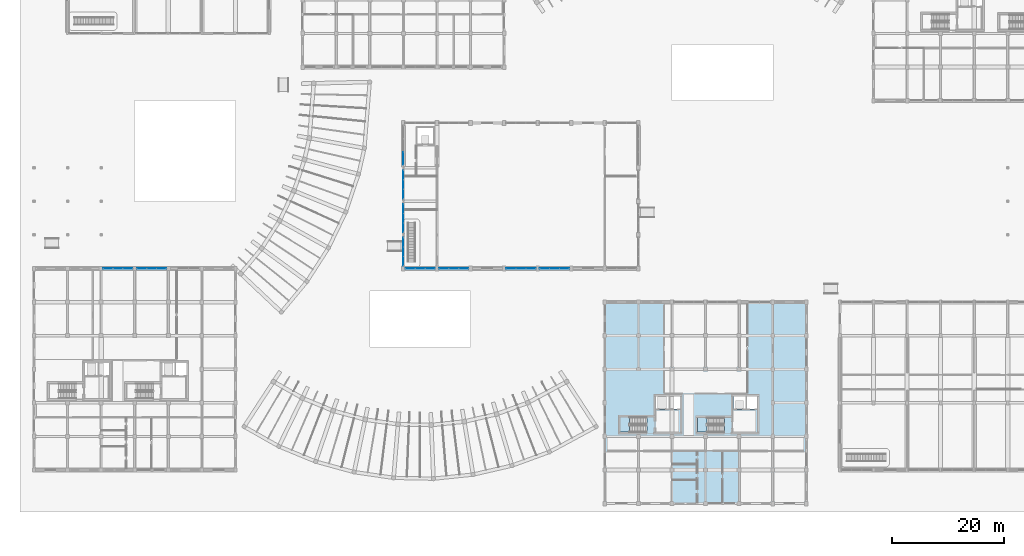
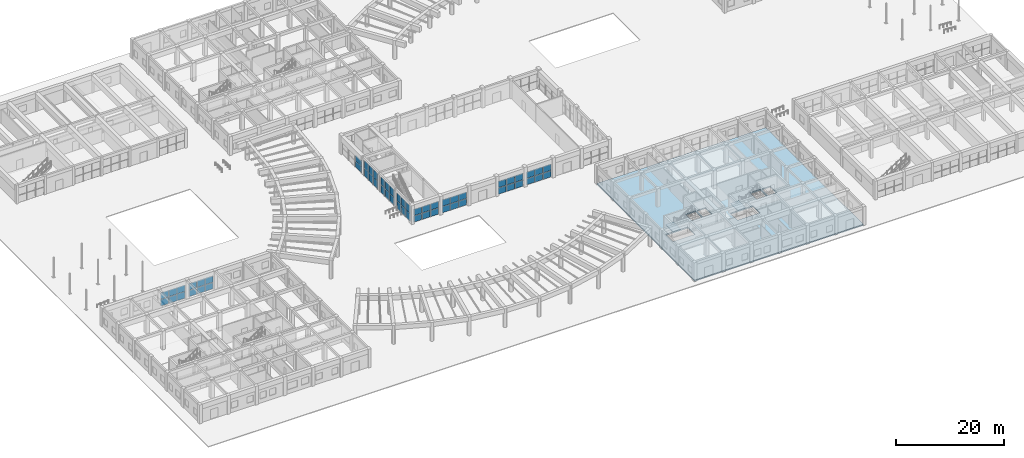
# One storey, part 39 of 76: 56 plates, 3 slabs, 12 elements without a shape of their own.
"""IFC4 building model written with IfcOpenShell, lengths in metres."""

from ifc_helpers import new_model, si_unit, direction, frame, origin, origin_2d, place, context, subcontext, project, spatial, polyline, rectangle, outline, extrude, material, layer, layer_set, type_object, element, aggregate, save


model = new_model("IFC4")

# Units and contexts
model_context = context("Model", 3, precision=1e-05, world=origin(), true_north=direction((0.0, 1.0)))
body_context = subcontext(model_context, "Body", "Model", "MODEL_VIEW")
ifc_project = project(units=[si_unit("LENGTHUNIT", "METRE"), si_unit("AREAUNIT", "SQUARE_METRE"), si_unit("VOLUMEUNIT", "CUBIC_METRE"), si_unit("PLANEANGLEUNIT", "RADIAN"), si_unit("MASSUNIT", "GRAM", prefix="KILO"), si_unit("POWERUNIT", "WATT"), si_unit("THERMODYNAMICTEMPERATUREUNIT", "KELVIN")], contexts=[model_context])

# Site, building, storey
site_placement = place(None, origin())
site = spatial("IfcSite", under=ifc_project, at=site_placement, CompositionType="ELEMENT")
building_placement = place(site_placement, origin())
building = spatial("IfcBuilding", under=site, at=building_placement, Name="Ruvembo Vaulted Housing Court", CompositionType="ELEMENT")
storey_placement = place(building_placement, origin())
storey = spatial("IfcBuildingStorey", under=building, at=storey_placement, Name="L00", CompositionType="ELEMENT", Elevation=0.0)

# Curtain wall, plates
ifc_material_1 = material(Name="Anodised Aluminium and Solar-Control Glass", Category="aluminium")
ifc_layer_1 = layer(ifc_material_1, 0.159912109375, Name="Anodised Aluminium and Solar-Control Glass")
ifc_layer_set_1 = layer_set([ifc_layer_1], Name="Anodised Aluminium and Solar-Control Glass")
curtain_wall_type_1 = type_object("IfcCurtainWallType", Name="CW-HALL-SIDE", PredefinedType="NOTDEFINED", material=ifc_layer_set_1)
curtain_wall_1_placement = place(storey_placement, origin())
curtain_wall_1 = element("IfcCurtainWall", 1, at=curtain_wall_1_placement, inside=storey, type_object=curtain_wall_type_1, Name="L00 Curtain Wall CW-L00-0093", PredefinedType="NOTDEFINED")
ifc_material_2 = material(Name="Solar-Control Laminated Insulating Glass", Category="glass")
ifc_layer_2 = layer(ifc_material_2, 0.035888671875, Name="Solar-Control Laminated Insulating Glass")
ifc_layer_set_2 = layer_set([ifc_layer_2], Name="Solar-Control Laminated Insulating Glass")
plate_type_1 = type_object("IfcPlateType", Name="CW-PANEL-ACOUST", PredefinedType="CURTAIN_PANEL", material=ifc_layer_set_2)
plate_1_placement = place(storey_placement, frame((73.231689453125, 42.0, 0.06005859375), z_axis=(0.0, 0.0, 1.0), x_axis=(1.0, 0.0, 0.0)))
plate_1 = element("IfcPlate", 2, at=plate_1_placement, type_object=plate_type_1, Name="CW1 panel 1.1", PredefinedType="CURTAIN_PANEL", context=body_context, shape_type="SweptSolid", body=[
    extrude(rectangle(XDim=1.693359375, YDim=0.035888671875, at=origin_2d()), origin(), (0.0, 0.0, 1.0), 1.44091796875),
])
plate_2_placement = place(storey_placement, frame((73.231689453125, 42.0, 1.56103515625), z_axis=(0.0, 0.0, 1.0), x_axis=(1.0, 0.0, 0.0)))
plate_2 = element("IfcPlate", 3, at=plate_2_placement, type_object=plate_type_1, Name="CW1 panel 1.2", PredefinedType="CURTAIN_PANEL", context=body_context, shape_type="SweptSolid", body=[
    extrude(rectangle(XDim=1.693359375, YDim=0.035888671875, at=origin_2d()), origin(), (0.0, 0.0, 1.0), 1.44091796875),
])
plate_3_placement = place(storey_placement, frame((75.0, 42.0, 0.06005859375), z_axis=(0.0, 0.0, 1.0), x_axis=(1.0, 0.0, 0.0)))
plate_3 = element("IfcPlate", 4, at=plate_3_placement, type_object=plate_type_1, Name="CW1 panel 2.1", PredefinedType="CURTAIN_PANEL", context=body_context, shape_type="SweptSolid", body=[
    extrude(rectangle(XDim=1.723388671875, YDim=0.035888671875, at=origin_2d()), origin(), (0.0, 0.0, 1.0), 1.44091796875),
])
plate_4_placement = place(storey_placement, frame((75.0, 42.0, 1.56103515625), z_axis=(0.0, 0.0, 1.0), x_axis=(1.0, 0.0, 0.0)))
plate_4 = element("IfcPlate", 5, at=plate_4_placement, type_object=plate_type_1, Name="CW1 panel 2.2", PredefinedType="CURTAIN_PANEL", context=body_context, shape_type="SweptSolid", body=[
    extrude(rectangle(XDim=1.723388671875, YDim=0.035888671875, at=origin_2d()), origin(), (0.0, 0.0, 1.0), 1.44091796875),
])
plate_5_placement = place(storey_placement, frame((76.768310546875, 42.0, 0.06005859375), z_axis=(0.0, 0.0, 1.0), x_axis=(1.0, 0.0, 0.0)))
plate_5 = element("IfcPlate", 6, at=plate_5_placement, type_object=plate_type_1, Name="CW1 panel 3.1", PredefinedType="CURTAIN_PANEL", context=body_context, shape_type="SweptSolid", body=[
    extrude(rectangle(XDim=1.693359375, YDim=0.035888671875, at=origin_2d()), origin(), (0.0, 0.0, 1.0), 1.44091796875),
])
plate_6_placement = place(storey_placement, frame((76.768310546875, 42.0, 1.56103515625), z_axis=(0.0, 0.0, 1.0), x_axis=(1.0, 0.0, 0.0)))
plate_6 = element("IfcPlate", 7, at=plate_6_placement, type_object=plate_type_1, Name="CW1 panel 3.2", PredefinedType="CURTAIN_PANEL", context=body_context, shape_type="SweptSolid", body=[
    extrude(rectangle(XDim=1.693359375, YDim=0.035888671875, at=origin_2d()), origin(), (0.0, 0.0, 1.0), 1.44091796875),
])
aggregate(curtain_wall_1, [plate_1, plate_2, plate_3, plate_4, plate_5, plate_6])

curtain_wall_2_placement = place(storey_placement, origin())
curtain_wall_2 = element("IfcCurtainWall", 8, at=curtain_wall_2_placement, inside=storey, type_object=curtain_wall_type_1, Name="L00 Curtain Wall CW-L00-0099", PredefinedType="NOTDEFINED")
plate_7_placement = place(storey_placement, frame((85.23046875, 42.0, 0.06005859375), z_axis=(0.0, 0.0, 1.0), x_axis=(1.0, 0.0, 0.0)))
plate_7 = element("IfcPlate", 9, at=plate_7_placement, type_object=plate_type_1, Name="CW1 panel 1.1", PredefinedType="CURTAIN_PANEL", context=body_context, shape_type="SweptSolid", body=[
    extrude(rectangle(XDim=1.700927734375, YDim=0.035888671875, at=origin_2d()), origin(), (0.0, 0.0, 1.0), 1.44091796875),
])
plate_8_placement = place(storey_placement, frame((85.23046875, 42.0, 1.56103515625), z_axis=(0.0, 0.0, 1.0), x_axis=(1.0, 0.0, 0.0)))
plate_8 = element("IfcPlate", 10, at=plate_8_placement, type_object=plate_type_1, Name="CW1 panel 1.2", PredefinedType="CURTAIN_PANEL", context=body_context, shape_type="SweptSolid", body=[
    extrude(rectangle(XDim=1.700927734375, YDim=0.035888671875, at=origin_2d()), origin(), (0.0, 0.0, 1.0), 1.44091796875),
])
plate_9_placement = place(storey_placement, frame((87.0, 42.0, 0.06005859375), z_axis=(0.0, 0.0, 1.0), x_axis=(1.0, 0.0, 0.0)))
plate_9 = element("IfcPlate", 11, at=plate_9_placement, type_object=plate_type_1, Name="CW1 panel 2.1", PredefinedType="CURTAIN_PANEL", context=body_context, shape_type="SweptSolid", body=[
    extrude(rectangle(XDim=1.728271484375, YDim=0.035888671875, at=origin_2d()), origin(), (0.0, 0.0, 1.0), 1.44091796875),
])
plate_10_placement = place(storey_placement, frame((87.0, 42.0, 1.56103515625), z_axis=(0.0, 0.0, 1.0), x_axis=(1.0, 0.0, 0.0)))
plate_10 = element("IfcPlate", 12, at=plate_10_placement, type_object=plate_type_1, Name="CW1 panel 2.2", PredefinedType="CURTAIN_PANEL", context=body_context, shape_type="SweptSolid", body=[
    extrude(rectangle(XDim=1.728271484375, YDim=0.035888671875, at=origin_2d()), origin(), (0.0, 0.0, 1.0), 1.44091796875),
])
plate_11_placement = place(storey_placement, frame((88.76953125, 42.0, 0.06005859375), z_axis=(0.0, 0.0, 1.0), x_axis=(1.0, 0.0, 0.0)))
plate_11 = element("IfcPlate", 13, at=plate_11_placement, type_object=plate_type_1, Name="CW1 panel 3.1", PredefinedType="CURTAIN_PANEL", context=body_context, shape_type="SweptSolid", body=[
    extrude(rectangle(XDim=1.700927734375, YDim=0.035888671875, at=origin_2d()), origin(), (0.0, 0.0, 1.0), 1.44091796875),
])
plate_12_placement = place(storey_placement, frame((88.76953125, 42.0, 1.56103515625), z_axis=(0.0, 0.0, 1.0), x_axis=(1.0, 0.0, 0.0)))
plate_12 = element("IfcPlate", 14, at=plate_12_placement, type_object=plate_type_1, Name="CW1 panel 3.2", PredefinedType="CURTAIN_PANEL", context=body_context, shape_type="SweptSolid", body=[
    extrude(rectangle(XDim=1.700927734375, YDim=0.035888671875, at=origin_2d()), origin(), (0.0, 0.0, 1.0), 1.44091796875),
])
aggregate(curtain_wall_2, [plate_7, plate_8, plate_9, plate_10, plate_11, plate_12])

ifc_layer_3 = layer(ifc_material_1, 0.179931640625, Name="Anodised Aluminium and Solar-Control Glass")
ifc_layer_set_3 = layer_set([ifc_layer_3], Name="Anodised Aluminium and Solar-Control Glass")
curtain_wall_type_2 = type_object("IfcCurtainWallType", Name="CW-HALL-TYMP", PredefinedType="NOTDEFINED", material=ifc_layer_set_3)
curtain_wall_3_placement = place(storey_placement, origin())
curtain_wall_3 = element("IfcCurtainWall", 15, at=curtain_wall_3_placement, inside=storey, type_object=curtain_wall_type_2, Name="L00 Curtain Wall CW-L00-0117", PredefinedType="NOTDEFINED")
plate_13_placement = place(storey_placement, frame((66.0, 55.31494140625, 0.06005859375), z_axis=(0.0, 0.0, 1.0), x_axis=(0.0, 1.0, 0.0)))
plate_13 = element("IfcPlate", 16, at=plate_13_placement, type_object=plate_type_1, Name="CW2 panel 1.1", PredefinedType="CURTAIN_PANEL", context=body_context, shape_type="SweptSolid", body=[
    extrude(rectangle(XDim=1.610107421875, YDim=0.035888671875, at=origin_2d()), origin(), (0.0, 0.0, 1.0), 1.69091796875),
])
plate_14_placement = place(storey_placement, frame((66.0, 55.31494140625, 1.81103515625), z_axis=(0.0, 0.0, 1.0), x_axis=(0.0, 1.0, 0.0)))
plate_14 = element("IfcPlate", 17, at=plate_14_placement, type_object=plate_type_1, Name="CW2 panel 1.2", PredefinedType="CURTAIN_PANEL", context=body_context, shape_type="SweptSolid", body=[
    extrude(rectangle(XDim=1.610107421875, YDim=0.035888671875, at=origin_2d()), origin(), (0.0, 0.0, 1.0), 1.69091796875),
])
plate_15_placement = place(storey_placement, frame((66.0, 57.0, 0.06005859375), z_axis=(0.0, 0.0, 1.0), x_axis=(0.0, 1.0, 0.0)))
plate_15 = element("IfcPlate", 18, at=plate_15_placement, type_object=plate_type_1, Name="CW2 panel 2.1", PredefinedType="CURTAIN_PANEL", context=body_context, shape_type="SweptSolid", body=[
    extrude(rectangle(XDim=1.639892578125, YDim=0.035888671875, at=origin_2d()), origin(), (0.0, 0.0, 1.0), 1.69091796875),
])
plate_16_placement = place(storey_placement, frame((66.0, 57.0, 1.81103515625), z_axis=(0.0, 0.0, 1.0), x_axis=(0.0, 1.0, 0.0)))
plate_16 = element("IfcPlate", 19, at=plate_16_placement, type_object=plate_type_1, Name="CW2 panel 2.2", PredefinedType="CURTAIN_PANEL", context=body_context, shape_type="SweptSolid", body=[
    extrude(rectangle(XDim=1.639892578125, YDim=0.035888671875, at=origin_2d()), origin(), (0.0, 0.0, 1.0), 1.69091796875),
])
plate_17_placement = place(storey_placement, frame((66.0, 58.68505859375, 0.06005859375), z_axis=(0.0, 0.0, 1.0), x_axis=(0.0, 1.0, 0.0)))
plate_17 = element("IfcPlate", 20, at=plate_17_placement, type_object=plate_type_1, Name="CW2 panel 3.1", PredefinedType="CURTAIN_PANEL", context=body_context, shape_type="SweptSolid", body=[
    extrude(rectangle(XDim=1.610107421875, YDim=0.035888671875, at=origin_2d()), origin(), (0.0, 0.0, 1.0), 1.69091796875),
])
plate_18_placement = place(storey_placement, frame((66.0, 58.68505859375, 1.81103515625), z_axis=(0.0, 0.0, 1.0), x_axis=(0.0, 1.0, 0.0)))
plate_18 = element("IfcPlate", 21, at=plate_18_placement, type_object=plate_type_1, Name="CW2 panel 3.2", PredefinedType="CURTAIN_PANEL", context=body_context, shape_type="SweptSolid", body=[
    extrude(rectangle(XDim=1.610107421875, YDim=0.035888671875, at=origin_2d()), origin(), (0.0, 0.0, 1.0), 1.69091796875),
])
aggregate(curtain_wall_3, [plate_13, plate_14, plate_15, plate_16, plate_17, plate_18])

ifc_layer_4 = layer(ifc_material_1, 0.159912109375, Name="Anodised Aluminium and Solar-Control Glass")
ifc_layer_set_4 = layer_set([ifc_layer_4], Name="Anodised Aluminium and Solar-Control Glass")
curtain_wall_type_3 = type_object("IfcCurtainWallType", Name="CW-LOBBY", PredefinedType="NOTDEFINED", material=ifc_layer_set_4)
curtain_wall_4_placement = place(storey_placement, origin())
curtain_wall_4 = element("IfcCurtainWall", 22, at=curtain_wall_4_placement, inside=storey, type_object=curtain_wall_type_3, Name="L00 Curtain Wall CW-L00-0002", PredefinedType="NOTDEFINED")
ifc_layer_5 = layer(ifc_material_2, 0.028076171875, Name="Solar-Control Laminated Insulating Glass")
ifc_layer_set_5 = layer_set([ifc_layer_5], Name="Solar-Control Laminated Insulating Glass")
plate_type_2 = type_object("IfcPlateType", Name="CW-PANEL-GLAZED", PredefinedType="CURTAIN_PANEL", material=ifc_layer_set_5)
plate_19_placement = place(storey_placement, frame((16.75048828125, 42.0, 0.06005859375), z_axis=(0.0, 0.0, 1.0), x_axis=(-1.0, 0.0, 0.0)))
plate_19 = element("IfcPlate", 23, at=plate_19_placement, type_object=plate_type_2, Name="CW5 panel 1.1", PredefinedType="CURTAIN_PANEL", context=body_context, shape_type="SweptSolid", body=[
    extrude(rectangle(XDim=1.669189453125, YDim=0.028076171875, at=origin_2d()), origin(), (0.0, 0.0, 1.0), 1.466064453125),
])
plate_20_placement = place(storey_placement, frame((16.75048828125, 42.0, 1.5859375), z_axis=(0.0, 0.0, 1.0), x_axis=(-1.0, 0.0, 0.0)))
plate_20 = element("IfcPlate", 24, at=plate_20_placement, type_object=plate_type_2, Name="CW5 panel 1.2", PredefinedType="CURTAIN_PANEL", context=body_context, shape_type="SweptSolid", body=[
    extrude(rectangle(XDim=1.669189453125, YDim=0.028076171875, at=origin_2d()), origin(), (0.0, 0.0, 1.0), 1.466064453125),
])
plate_21_placement = place(storey_placement, frame((15.0, 42.0, 0.06005859375), z_axis=(0.0, 0.0, 1.0), x_axis=(-1.0, 0.0, 0.0)))
plate_21 = element("IfcPlate", 25, at=plate_21_placement, type_object=plate_type_2, Name="CW5 panel 2.1", PredefinedType="CURTAIN_PANEL", context=body_context, shape_type="SweptSolid", body=[
    extrude(rectangle(XDim=1.70166015625, YDim=0.028076171875, at=origin_2d()), origin(), (0.0, 0.0, 1.0), 1.466064453125),
])
plate_22_placement = place(storey_placement, frame((15.0, 42.0, 1.5859375), z_axis=(0.0, 0.0, 1.0), x_axis=(-1.0, 0.0, 0.0)))
plate_22 = element("IfcPlate", 26, at=plate_22_placement, type_object=plate_type_2, Name="CW5 panel 2.2", PredefinedType="CURTAIN_PANEL", context=body_context, shape_type="SweptSolid", body=[
    extrude(rectangle(XDim=1.70166015625, YDim=0.028076171875, at=origin_2d()), origin(), (0.0, 0.0, 1.0), 1.466064453125),
])
plate_23_placement = place(storey_placement, frame((13.24951171875, 42.0, 0.06005859375), z_axis=(0.0, 0.0, 1.0), x_axis=(-1.0, 0.0, 0.0)))
plate_23 = element("IfcPlate", 27, at=plate_23_placement, type_object=plate_type_2, Name="CW5 panel 3.1", PredefinedType="CURTAIN_PANEL", context=body_context, shape_type="SweptSolid", body=[
    extrude(rectangle(XDim=1.669189453125, YDim=0.028076171875, at=origin_2d()), origin(), (0.0, 0.0, 1.0), 1.466064453125),
])
plate_24_placement = place(storey_placement, frame((13.24951171875, 42.0, 1.5859375), z_axis=(0.0, 0.0, 1.0), x_axis=(-1.0, 0.0, 0.0)))
plate_24 = element("IfcPlate", 28, at=plate_24_placement, type_object=plate_type_2, Name="CW5 panel 3.2", PredefinedType="CURTAIN_PANEL", context=body_context, shape_type="SweptSolid", body=[
    extrude(rectangle(XDim=1.669189453125, YDim=0.028076171875, at=origin_2d()), origin(), (0.0, 0.0, 1.0), 1.466064453125),
])
aggregate(curtain_wall_4, [plate_19, plate_20, plate_21, plate_22, plate_23, plate_24])

curtain_wall_5_placement = place(storey_placement, origin())
curtain_wall_5 = element("IfcCurtainWall", 29, at=curtain_wall_5_placement, inside=storey, type_object=curtain_wall_type_1, Name="L00 Curtain Wall CW-L00-0089", PredefinedType="NOTDEFINED")
plate_25_placement = place(storey_placement, frame((67.231689453125, 42.0, 0.06005859375), z_axis=(0.0, 0.0, 1.0), x_axis=(1.0, 0.0, 0.0)))
plate_25 = element("IfcPlate", 30, at=plate_25_placement, type_object=plate_type_2, Name="CW1 panel 1.1", PredefinedType="CURTAIN_PANEL", context=body_context, shape_type="SweptSolid", body=[
    extrude(rectangle(XDim=1.693359375, YDim=0.028076171875, at=origin_2d()), origin(), (0.0, 0.0, 1.0), 1.44091796875),
])
plate_26_placement = place(storey_placement, frame((67.231689453125, 42.0, 1.56103515625), z_axis=(0.0, 0.0, 1.0), x_axis=(1.0, 0.0, 0.0)))
plate_26 = element("IfcPlate", 31, at=plate_26_placement, type_object=plate_type_2, Name="CW1 panel 1.2", PredefinedType="CURTAIN_PANEL", context=body_context, shape_type="SweptSolid", body=[
    extrude(rectangle(XDim=1.693359375, YDim=0.028076171875, at=origin_2d()), origin(), (0.0, 0.0, 1.0), 1.44091796875),
])
plate_27_placement = place(storey_placement, frame((69.0, 42.0, 0.06005859375), z_axis=(0.0, 0.0, 1.0), x_axis=(1.0, 0.0, 0.0)))
plate_27 = element("IfcPlate", 32, at=plate_27_placement, type_object=plate_type_2, Name="CW1 panel 2.1", PredefinedType="CURTAIN_PANEL", context=body_context, shape_type="SweptSolid", body=[
    extrude(rectangle(XDim=1.723388671875, YDim=0.028076171875, at=origin_2d()), origin(), (0.0, 0.0, 1.0), 1.44091796875),
])
plate_28_placement = place(storey_placement, frame((69.0, 42.0, 1.56103515625), z_axis=(0.0, 0.0, 1.0), x_axis=(1.0, 0.0, 0.0)))
plate_28 = element("IfcPlate", 33, at=plate_28_placement, type_object=plate_type_2, Name="CW1 panel 2.2", PredefinedType="CURTAIN_PANEL", context=body_context, shape_type="SweptSolid", body=[
    extrude(rectangle(XDim=1.723388671875, YDim=0.028076171875, at=origin_2d()), origin(), (0.0, 0.0, 1.0), 1.44091796875),
])
plate_29_placement = place(storey_placement, frame((70.768310546875, 42.0, 0.06005859375), z_axis=(0.0, 0.0, 1.0), x_axis=(1.0, 0.0, 0.0)))
plate_29 = element("IfcPlate", 34, at=plate_29_placement, type_object=plate_type_2, Name="CW1 panel 3.1", PredefinedType="CURTAIN_PANEL", context=body_context, shape_type="SweptSolid", body=[
    extrude(rectangle(XDim=1.693359375, YDim=0.028076171875, at=origin_2d()), origin(), (0.0, 0.0, 1.0), 1.44091796875),
])
plate_30_placement = place(storey_placement, frame((70.768310546875, 42.0, 1.56103515625), z_axis=(0.0, 0.0, 1.0), x_axis=(1.0, 0.0, 0.0)))
plate_30 = element("IfcPlate", 35, at=plate_30_placement, type_object=plate_type_2, Name="CW1 panel 3.2", PredefinedType="CURTAIN_PANEL", context=body_context, shape_type="SweptSolid", body=[
    extrude(rectangle(XDim=1.693359375, YDim=0.028076171875, at=origin_2d()), origin(), (0.0, 0.0, 1.0), 1.44091796875),
])
aggregate(curtain_wall_5, [plate_25, plate_26, plate_27, plate_28, plate_29, plate_30])

curtain_wall_6_placement = place(storey_placement, origin())
curtain_wall_6 = element("IfcCurtainWall", 36, at=curtain_wall_6_placement, inside=storey, type_object=curtain_wall_type_2, Name="L00 Curtain Wall CW-L00-0113", PredefinedType="NOTDEFINED")
plate_31_placement = place(storey_placement, frame((66.0, 43.31494140625, 0.06005859375), z_axis=(0.0, 0.0, 1.0), x_axis=(0.0, 1.0, 0.0)))
plate_31 = element("IfcPlate", 37, at=plate_31_placement, type_object=plate_type_2, Name="CW2 panel 1.1", PredefinedType="CURTAIN_PANEL", context=body_context, shape_type="SweptSolid", body=[
    extrude(rectangle(XDim=1.610107421875, YDim=0.028076171875, at=origin_2d()), origin(), (0.0, 0.0, 1.0), 1.69091796875),
])
plate_32_placement = place(storey_placement, frame((66.0, 43.31494140625, 1.81103515625), z_axis=(0.0, 0.0, 1.0), x_axis=(0.0, 1.0, 0.0)))
plate_32 = element("IfcPlate", 38, at=plate_32_placement, type_object=plate_type_2, Name="CW2 panel 1.2", PredefinedType="CURTAIN_PANEL", context=body_context, shape_type="SweptSolid", body=[
    extrude(rectangle(XDim=1.610107421875, YDim=0.028076171875, at=origin_2d()), origin(), (0.0, 0.0, 1.0), 1.69091796875),
])
plate_33_placement = place(storey_placement, frame((66.0, 45.0, 0.06005859375), z_axis=(0.0, 0.0, 1.0), x_axis=(0.0, 1.0, 0.0)))
plate_33 = element("IfcPlate", 39, at=plate_33_placement, type_object=plate_type_2, Name="CW2 panel 2.1", PredefinedType="CURTAIN_PANEL", context=body_context, shape_type="SweptSolid", body=[
    extrude(rectangle(XDim=1.639892578125, YDim=0.028076171875, at=origin_2d()), origin(), (0.0, 0.0, 1.0), 1.69091796875),
])
plate_34_placement = place(storey_placement, frame((66.0, 45.0, 1.81103515625), z_axis=(0.0, 0.0, 1.0), x_axis=(0.0, 1.0, 0.0)))
plate_34 = element("IfcPlate", 40, at=plate_34_placement, type_object=plate_type_2, Name="CW2 panel 2.2", PredefinedType="CURTAIN_PANEL", context=body_context, shape_type="SweptSolid", body=[
    extrude(rectangle(XDim=1.639892578125, YDim=0.028076171875, at=origin_2d()), origin(), (0.0, 0.0, 1.0), 1.69091796875),
])
plate_35_placement = place(storey_placement, frame((66.0, 46.68505859375, 0.06005859375), z_axis=(0.0, 0.0, 1.0), x_axis=(0.0, 1.0, 0.0)))
plate_35 = element("IfcPlate", 41, at=plate_35_placement, type_object=plate_type_2, Name="CW2 panel 3.1", PredefinedType="CURTAIN_PANEL", context=body_context, shape_type="SweptSolid", body=[
    extrude(rectangle(XDim=1.610107421875, YDim=0.028076171875, at=origin_2d()), origin(), (0.0, 0.0, 1.0), 1.69091796875),
])
plate_36_placement = place(storey_placement, frame((66.0, 46.68505859375, 1.81103515625), z_axis=(0.0, 0.0, 1.0), x_axis=(0.0, 1.0, 0.0)))
plate_36 = element("IfcPlate", 42, at=plate_36_placement, type_object=plate_type_2, Name="CW2 panel 3.2", PredefinedType="CURTAIN_PANEL", context=body_context, shape_type="SweptSolid", body=[
    extrude(rectangle(XDim=1.610107421875, YDim=0.028076171875, at=origin_2d()), origin(), (0.0, 0.0, 1.0), 1.69091796875),
])
aggregate(curtain_wall_6, [plate_31, plate_32, plate_33, plate_34, plate_35, plate_36])

curtain_wall_7_placement = place(storey_placement, origin())
curtain_wall_7 = element("IfcCurtainWall", 43, at=curtain_wall_7_placement, inside=storey, type_object=curtain_wall_type_2, Name="L00 Curtain Wall CW-L00-0119", PredefinedType="NOTDEFINED")
plate_37_placement = place(storey_placement, frame((66.0, 61.64697265625, 0.06005859375), z_axis=(0.0, 0.0, 1.0), x_axis=(0.0, 1.0, 0.0)))
plate_37 = element("IfcPlate", 44, at=plate_37_placement, type_object=plate_type_2, Name="CW2 panel 1.1", PredefinedType="CURTAIN_PANEL", context=body_context, shape_type="SweptSolid", body=[
    extrude(rectangle(XDim=2.2841796875, YDim=0.028076171875, at=origin_2d()), origin(), (0.0, 0.0, 1.0), 1.341064453125),
])
plate_38_placement = place(storey_placement, frame((66.0, 61.64697265625, 1.4609375), z_axis=(0.0, 0.0, 1.0), x_axis=(0.0, 1.0, 0.0)))
plate_38 = element("IfcPlate", 45, at=plate_38_placement, type_object=plate_type_2, Name="CW2 panel 1.2", PredefinedType="CURTAIN_PANEL", context=body_context, shape_type="SweptSolid", body=[
    extrude(rectangle(XDim=2.2841796875, YDim=0.028076171875, at=origin_2d()), origin(), (0.0, 0.0, 1.0), 1.341064453125),
])
aggregate(curtain_wall_7, [plate_37, plate_38])

curtain_wall_8_placement = place(storey_placement, origin())
curtain_wall_8 = element("IfcCurtainWall", 46, at=curtain_wall_8_placement, inside=storey, type_object=curtain_wall_type_3, Name="L00 Curtain Wall CW-L00-0001", PredefinedType="NOTDEFINED")
ifc_layer_6 = layer(ifc_material_2, 0.031982421875, Name="Solar-Control Laminated Insulating Glass")
ifc_layer_set_6 = layer_set([ifc_layer_6], Name="Solar-Control Laminated Insulating Glass")
plate_type_3 = type_object("IfcPlateType", Name="CW-PANEL-SOLAR", PredefinedType="CURTAIN_PANEL", material=ifc_layer_set_6)
plate_39_placement = place(storey_placement, frame((22.751708984375, 42.0, 0.06494140625), z_axis=(0.0, 0.0, 1.0), x_axis=(-1.0, 0.0, 0.0)))
plate_39 = element("IfcPlate", 47, at=plate_39_placement, type_object=plate_type_3, Name="CW5 panel 1.1", PredefinedType="CURTAIN_PANEL", context=body_context, shape_type="SweptSolid", body=[
    extrude(rectangle(XDim=1.6767578125, YDim=0.031982421875, at=origin_2d()), origin(), (0.0, 0.0, 1.0), 1.45849609375),
])
plate_40_placement = place(storey_placement, frame((22.751708984375, 42.0, 1.588623046875), z_axis=(0.0, 0.0, 1.0), x_axis=(-1.0, 0.0, 0.0)))
plate_40 = element("IfcPlate", 48, at=plate_40_placement, type_object=plate_type_3, Name="CW5 panel 1.2", PredefinedType="CURTAIN_PANEL", context=body_context, shape_type="SweptSolid", body=[
    extrude(rectangle(XDim=1.6767578125, YDim=0.031982421875, at=origin_2d()), origin(), (0.0, 0.0, 1.0), 1.45849609375),
])
plate_41_placement = place(storey_placement, frame((21.0, 42.0, 0.06494140625), z_axis=(0.0, 0.0, 1.0), x_axis=(-1.0, 0.0, 0.0)))
plate_41 = element("IfcPlate", 49, at=plate_41_placement, type_object=plate_type_3, Name="CW5 panel 2.1", PredefinedType="CURTAIN_PANEL", context=body_context, shape_type="SweptSolid", body=[
    extrude(rectangle(XDim=1.706787109375, YDim=0.031982421875, at=origin_2d()), origin(), (0.0, 0.0, 1.0), 1.45849609375),
])
plate_42_placement = place(storey_placement, frame((21.0, 42.0, 1.588623046875), z_axis=(0.0, 0.0, 1.0), x_axis=(-1.0, 0.0, 0.0)))
plate_42 = element("IfcPlate", 50, at=plate_42_placement, type_object=plate_type_3, Name="CW5 panel 2.2", PredefinedType="CURTAIN_PANEL", context=body_context, shape_type="SweptSolid", body=[
    extrude(rectangle(XDim=1.706787109375, YDim=0.031982421875, at=origin_2d()), origin(), (0.0, 0.0, 1.0), 1.45849609375),
])
plate_43_placement = place(storey_placement, frame((19.248291015625, 42.0, 0.06494140625), z_axis=(0.0, 0.0, 1.0), x_axis=(-1.0, 0.0, 0.0)))
plate_43 = element("IfcPlate", 51, at=plate_43_placement, type_object=plate_type_3, Name="CW5 panel 3.1", PredefinedType="CURTAIN_PANEL", context=body_context, shape_type="SweptSolid", body=[
    extrude(rectangle(XDim=1.6767578125, YDim=0.031982421875, at=origin_2d()), origin(), (0.0, 0.0, 1.0), 1.45849609375),
])
plate_44_placement = place(storey_placement, frame((19.248291015625, 42.0, 1.588623046875), z_axis=(0.0, 0.0, 1.0), x_axis=(-1.0, 0.0, 0.0)))
plate_44 = element("IfcPlate", 52, at=plate_44_placement, type_object=plate_type_3, Name="CW5 panel 3.2", PredefinedType="CURTAIN_PANEL", context=body_context, shape_type="SweptSolid", body=[
    extrude(rectangle(XDim=1.6767578125, YDim=0.031982421875, at=origin_2d()), origin(), (0.0, 0.0, 1.0), 1.45849609375),
])
aggregate(curtain_wall_8, [plate_39, plate_40, plate_41, plate_42, plate_43, plate_44])

curtain_wall_9_placement = place(storey_placement, origin())
curtain_wall_9 = element("IfcCurtainWall", 53, at=curtain_wall_9_placement, inside=storey, type_object=curtain_wall_type_1, Name="L00 Curtain Wall CW-L00-0103", PredefinedType="NOTDEFINED")
plate_45_placement = place(storey_placement, frame((91.23046875, 42.0, 0.06494140625), z_axis=(0.0, 0.0, 1.0), x_axis=(1.0, 0.0, 0.0)))
plate_45 = element("IfcPlate", 54, at=plate_45_placement, type_object=plate_type_3, Name="CW1 panel 1.1", PredefinedType="CURTAIN_PANEL", context=body_context, shape_type="SweptSolid", body=[
    extrude(rectangle(XDim=1.700927734375, YDim=0.031982421875, at=origin_2d()), origin(), (0.0, 0.0, 1.0), 1.43359375),
])
plate_46_placement = place(storey_placement, frame((91.23046875, 42.0, 1.5634765625), z_axis=(0.0, 0.0, 1.0), x_axis=(1.0, 0.0, 0.0)))
plate_46 = element("IfcPlate", 55, at=plate_46_placement, type_object=plate_type_3, Name="CW1 panel 1.2", PredefinedType="CURTAIN_PANEL", context=body_context, shape_type="SweptSolid", body=[
    extrude(rectangle(XDim=1.700927734375, YDim=0.031982421875, at=origin_2d()), origin(), (0.0, 0.0, 1.0), 1.43359375),
])
plate_47_placement = place(storey_placement, frame((93.0, 42.0, 0.06494140625), z_axis=(0.0, 0.0, 1.0), x_axis=(1.0, 0.0, 0.0)))
plate_47 = element("IfcPlate", 56, at=plate_47_placement, type_object=plate_type_3, Name="CW1 panel 2.1", PredefinedType="CURTAIN_PANEL", context=body_context, shape_type="SweptSolid", body=[
    extrude(rectangle(XDim=1.728271484375, YDim=0.031982421875, at=origin_2d()), origin(), (0.0, 0.0, 1.0), 1.43359375),
])
plate_48_placement = place(storey_placement, frame((93.0, 42.0, 1.5634765625), z_axis=(0.0, 0.0, 1.0), x_axis=(1.0, 0.0, 0.0)))
plate_48 = element("IfcPlate", 57, at=plate_48_placement, type_object=plate_type_3, Name="CW1 panel 2.2", PredefinedType="CURTAIN_PANEL", context=body_context, shape_type="SweptSolid", body=[
    extrude(rectangle(XDim=1.728271484375, YDim=0.031982421875, at=origin_2d()), origin(), (0.0, 0.0, 1.0), 1.43359375),
])
plate_49_placement = place(storey_placement, frame((94.76953125, 42.0, 0.06494140625), z_axis=(0.0, 0.0, 1.0), x_axis=(1.0, 0.0, 0.0)))
plate_49 = element("IfcPlate", 58, at=plate_49_placement, type_object=plate_type_3, Name="CW1 panel 3.1", PredefinedType="CURTAIN_PANEL", context=body_context, shape_type="SweptSolid", body=[
    extrude(rectangle(XDim=1.700927734375, YDim=0.031982421875, at=origin_2d()), origin(), (0.0, 0.0, 1.0), 1.43359375),
])
plate_50_placement = place(storey_placement, frame((94.76953125, 42.0, 1.5634765625), z_axis=(0.0, 0.0, 1.0), x_axis=(1.0, 0.0, 0.0)))
plate_50 = element("IfcPlate", 59, at=plate_50_placement, type_object=plate_type_3, Name="CW1 panel 3.2", PredefinedType="CURTAIN_PANEL", context=body_context, shape_type="SweptSolid", body=[
    extrude(rectangle(XDim=1.700927734375, YDim=0.031982421875, at=origin_2d()), origin(), (0.0, 0.0, 1.0), 1.43359375),
])
aggregate(curtain_wall_9, [plate_45, plate_46, plate_47, plate_48, plate_49, plate_50])

curtain_wall_10_placement = place(storey_placement, origin())
curtain_wall_10 = element("IfcCurtainWall", 60, at=curtain_wall_10_placement, inside=storey, type_object=curtain_wall_type_2, Name="L00 Curtain Wall CW-L00-0115", PredefinedType="NOTDEFINED")
plate_51_placement = place(storey_placement, frame((66.0, 49.313720703125, 0.06494140625), z_axis=(0.0, 0.0, 1.0), x_axis=(0.0, 1.0, 0.0)))
plate_51 = element("IfcPlate", 61, at=plate_51_placement, type_object=plate_type_3, Name="CW2 panel 1.1", PredefinedType="CURTAIN_PANEL", context=body_context, shape_type="SweptSolid", body=[
    extrude(rectangle(XDim=1.617431640625, YDim=0.031982421875, at=origin_2d()), origin(), (0.0, 0.0, 1.0), 1.68359375),
])
plate_52_placement = place(storey_placement, frame((66.0, 49.313720703125, 1.8134765625), z_axis=(0.0, 0.0, 1.0), x_axis=(0.0, 1.0, 0.0)))
plate_52 = element("IfcPlate", 62, at=plate_52_placement, type_object=plate_type_3, Name="CW2 panel 1.2", PredefinedType="CURTAIN_PANEL", context=body_context, shape_type="SweptSolid", body=[
    extrude(rectangle(XDim=1.617431640625, YDim=0.031982421875, at=origin_2d()), origin(), (0.0, 0.0, 1.0), 1.68359375),
])
plate_53_placement = place(storey_placement, frame((66.0, 51.0, 0.06494140625), z_axis=(0.0, 0.0, 1.0), x_axis=(0.0, 1.0, 0.0)))
plate_53 = element("IfcPlate", 63, at=plate_53_placement, type_object=plate_type_3, Name="CW2 panel 2.1", PredefinedType="CURTAIN_PANEL", context=body_context, shape_type="SweptSolid", body=[
    extrude(rectangle(XDim=1.64501953125, YDim=0.031982421875, at=origin_2d()), origin(), (0.0, 0.0, 1.0), 1.68359375),
])
plate_54_placement = place(storey_placement, frame((66.0, 51.0, 1.8134765625), z_axis=(0.0, 0.0, 1.0), x_axis=(0.0, 1.0, 0.0)))
plate_54 = element("IfcPlate", 64, at=plate_54_placement, type_object=plate_type_3, Name="CW2 panel 2.2", PredefinedType="CURTAIN_PANEL", context=body_context, shape_type="SweptSolid", body=[
    extrude(rectangle(XDim=1.64501953125, YDim=0.031982421875, at=origin_2d()), origin(), (0.0, 0.0, 1.0), 1.68359375),
])
plate_55_placement = place(storey_placement, frame((66.0, 52.686279296875, 0.06494140625), z_axis=(0.0, 0.0, 1.0), x_axis=(0.0, 1.0, 0.0)))
plate_55 = element("IfcPlate", 65, at=plate_55_placement, type_object=plate_type_3, Name="CW2 panel 3.1", PredefinedType="CURTAIN_PANEL", context=body_context, shape_type="SweptSolid", body=[
    extrude(rectangle(XDim=1.617431640625, YDim=0.031982421875, at=origin_2d()), origin(), (0.0, 0.0, 1.0), 1.68359375),
])
plate_56_placement = place(storey_placement, frame((66.0, 52.686279296875, 1.8134765625), z_axis=(0.0, 0.0, 1.0), x_axis=(0.0, 1.0, 0.0)))
plate_56 = element("IfcPlate", 66, at=plate_56_placement, type_object=plate_type_3, Name="CW2 panel 3.2", PredefinedType="CURTAIN_PANEL", context=body_context, shape_type="SweptSolid", body=[
    extrude(rectangle(XDim=1.617431640625, YDim=0.031982421875, at=origin_2d()), origin(), (0.0, 0.0, 1.0), 1.68359375),
])
aggregate(curtain_wall_10, [plate_51, plate_52, plate_53, plate_54, plate_55, plate_56])

# Slab
ifc_material_3 = material(Name="Concrete C30/37", Category="concrete")
ifc_layer_7 = layer(ifc_material_3, 0.284912109375, Name="Concrete C30/37")
ifc_layer_set_7 = layer_set([ifc_layer_7], Name="Concrete C30/37")
slab_type_1 = type_object("IfcSlabType", Name="SL-FLR-285", PredefinedType="FLOOR", material=ifc_layer_set_7)
slab_1_placement = place(storey_placement, frame((0.0, 0.0, -0.284912109375)))
element("IfcSlab", 67, at=slab_1_placement, inside=storey, type_object=slab_type_1, Name="Block C L00 Structural Floor Slab", PredefinedType="FLOOR", context=body_context, shape_type="SweptSolid", body=[
    extrude(outline(polyline([(138.0, 0.0), (138.0, 36.0), (102.0, 36.0), (102.0, 0.0), (138.0, 0.0)]), holes=[polyline([(109.5, 15.449951171875), (104.75, 15.449951171875), (104.75, 12.75), (109.5, 12.75), (109.5, 15.449951171875)]), polyline([(111.14990234375, 16.85009765625), (113.35009765625, 16.85009765625), (113.35009765625, 19.25), (111.14990234375, 19.25), (111.14990234375, 16.85009765625)]), polyline([(113.60009765625, 16.85009765625), (115.449951171875, 16.85009765625), (115.449951171875, 19.25), (113.60009765625, 19.25), (113.60009765625, 16.85009765625)]), polyline([(123.35009765625, 15.35009765625), (118.550048828125, 15.35009765625), (118.550048828125, 12.75), (123.35009765625, 12.75), (123.35009765625, 15.35009765625)]), polyline([(124.949951171875, 16.85009765625), (127.14990234375, 16.85009765625), (127.14990234375, 19.25), (124.949951171875, 19.25), (124.949951171875, 16.85009765625)]), polyline([(127.39990234375, 16.85009765625), (129.25, 16.85009765625), (129.25, 19.25), (127.39990234375, 19.25), (127.39990234375, 16.85009765625)])]), origin(), (0.0, 0.0, 1.0), 0.284912109375),
])

# Stair, slab
ifc_material_4 = material(Name="Concrete C35/45", Category="concrete")
stair_type_1 = type_object("IfcStairType", Name="STR-CORE-1250", PredefinedType="HALF_TURN_STAIR", material=ifc_material_4)
stair_1_placement = place(storey_placement, origin())
stair_1 = element("IfcStair", 68, at=stair_1_placement, inside=storey, type_object=stair_type_1, Name="L00 Protected Exit Stair ST-C1", PredefinedType="HALF_TURN_STAIR")
ifc_layer_8 = layer(ifc_material_3, 0.201904296875, Name="Concrete C30/37")
ifc_layer_set_8 = layer_set([ifc_layer_8], Name="Concrete C30/37")
slab_type_2 = type_object("IfcSlabType", Name="SL-LAND-202", PredefinedType="LANDING", material=ifc_layer_set_8)
slab_2_placement = place(storey_placement, frame((0.0, 0.0, 2.050048828125)))
slab_2 = element("IfcSlab", 69, at=slab_2_placement, type_object=slab_type_2, Name="ST-C1 landing 1", PredefinedType="LANDING", context=body_context, shape_type="SweptSolid", body=[
    extrude(outline(polyline([(106.419921875, 15.449951171875), (104.75, 15.449951171875), (104.75, 12.75), (106.419921875, 12.75), (106.419921875, 15.449951171875)])), origin(), (0.0, 0.0, 1.0), 0.199951171875),
])
aggregate(stair_1, [slab_2])

stair_type_2 = type_object("IfcStairType", Name="STR-CORE-1200", PredefinedType="HALF_TURN_STAIR", material=ifc_material_4)
stair_2_placement = place(storey_placement, origin())
stair_2 = element("IfcStair", 70, at=stair_2_placement, inside=storey, type_object=stair_type_2, Name="L00 Protected Exit Stair ST-C2", PredefinedType="HALF_TURN_STAIR")
slab_3_placement = place(storey_placement, frame((0.0, 0.0, 2.050048828125)))
slab_3 = element("IfcSlab", 71, at=slab_3_placement, type_object=slab_type_2, Name="ST-C2 landing 1", PredefinedType="LANDING", context=body_context, shape_type="SweptSolid", body=[
    extrude(outline(polyline([(120.27001953125, 15.35009765625), (118.550048828125, 15.35009765625), (118.550048828125, 12.75), (120.27001953125, 12.75), (120.27001953125, 15.35009765625)])), origin(), (0.0, 0.0, 1.0), 0.199951171875),
])
aggregate(stair_2, [slab_3])

save(model, "model.ifc")
